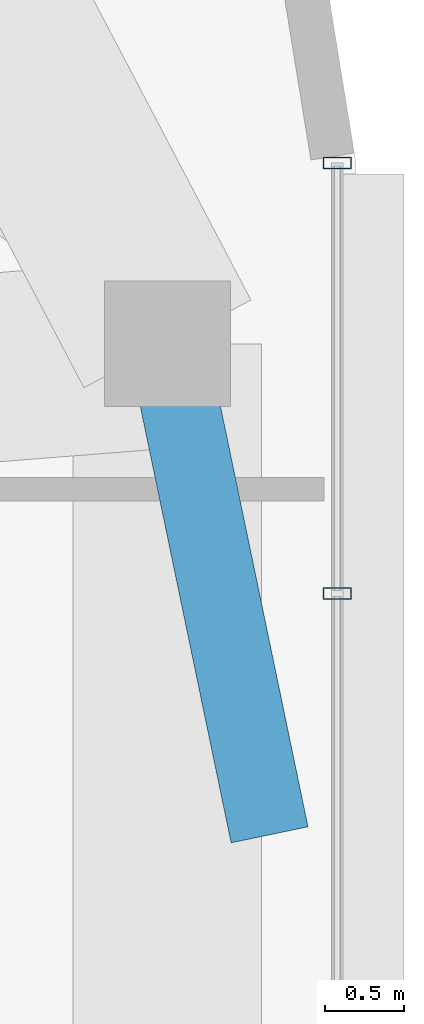
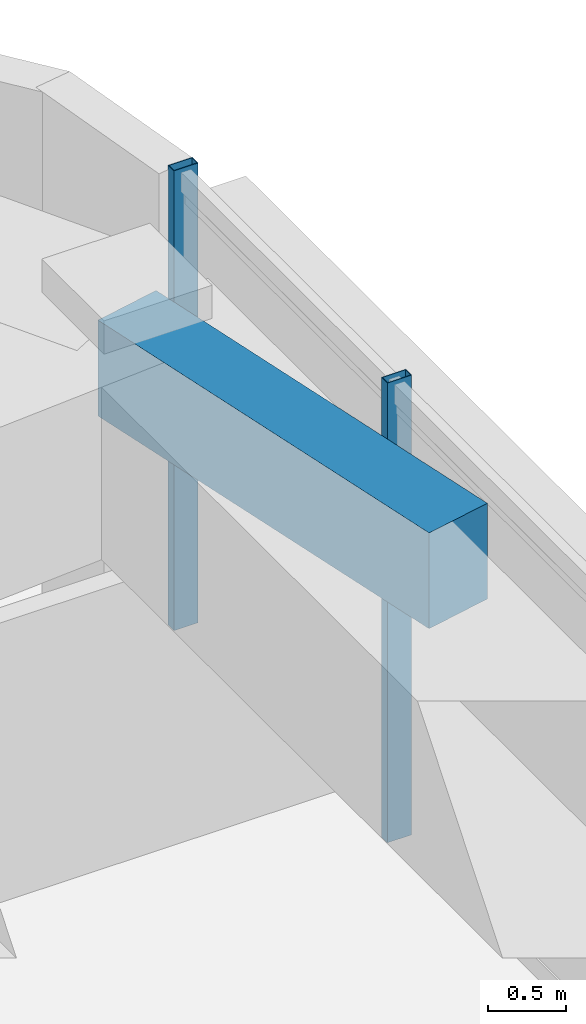
# One storey, part 7 of 15: 2 members, 1 beam, 1 element without a shape of its own.
"""IFC4 building model written with IfcOpenShell, lengths in metres."""

from ifc_helpers import new_model, si_unit, direction, frame, origin, origin_2d, place, context, subcontext, project, spatial, rectangle, hollow_rectangle, extrude, material, material_profile, profile_set, type_object, element, aggregate, save


model = new_model("IFC4")

# Units and contexts
model_context = context("Model", 3, precision=1e-05, world=origin(), true_north=direction((0.0, 1.0)))
body_context = subcontext(model_context, "Body", "Model", "MODEL_VIEW")
ifc_project = project(units=[si_unit("LENGTHUNIT", "METRE"), si_unit("AREAUNIT", "SQUARE_METRE"), si_unit("VOLUMEUNIT", "CUBIC_METRE"), si_unit("PLANEANGLEUNIT", "RADIAN"), si_unit("MASSUNIT", "GRAM", prefix="KILO")], contexts=[model_context])

# Site, building, storey
site_placement = place(None, origin())
site = spatial("IfcSite", under=ifc_project, at=site_placement, CompositionType="ELEMENT")
building_placement = place(site_placement, origin())
building = spatial("IfcBuilding", under=site, at=building_placement, Name="Zulverin Broadcast Headquarters", CompositionType="ELEMENT")
storey_placement = place(building_placement, frame((0.0, 0.0, 270.60009765625)))
storey = spatial("IfcBuildingStorey", under=building, at=storey_placement, Name="L69", CompositionType="ELEMENT", Elevation=270.60009765625)

# Beam
ifc_material_1 = material(Name="Concrete C40/50", Category="concrete")
ifc_material_profile_1 = material_profile(ifc_material_1, rectangle(XDim=0.5, YDim=0.75, at=origin_2d()), Name="Concrete C40/50", Category="concrete")
ifc_profile_set_1 = profile_set([ifc_material_profile_1], Name="Concrete C40/50")
beam_type = type_object("IfcBeamType", Name="BM-RC-500x750", PredefinedType="BEAM", material=ifc_profile_set_1)
beam_placement = place(storey_placement, frame((64.300048828125, 34.275634765625, 3.164794921875), z_axis=(0.203718932557, -0.979029415553, 0.0), x_axis=(0.979029415553, 0.203718932557, 0.0)))
element("IfcBeam", 1, at=beam_placement, inside=storey, type_object=beam_type, Name="L70 Balcony Column-Framed Cantilever BAL_E-2", PredefinedType="BEAM", context=body_context, shape_type="SweptSolid", body=[
    extrude(rectangle(XDim=0.5, YDim=0.75, at=origin_2d()), origin(), (0.0, 0.0, 1.0), 3.190185546875),
])

# Curtain wall, members
ifc_material_2 = material(Name="High-zone solar-control unitised curtain wall", Category="aluminium")
curtain_wall_type = type_object("IfcCurtainWallType", Name="CW-TWR-UPP", PredefinedType="USERDEFINED", material=ifc_material_2)
curtain_wall_placement = place(storey_placement, origin())
curtain_wall = element("IfcCurtainWall", 2, at=curtain_wall_placement, inside=storey, type_object=curtain_wall_type, Name="L69 Unitised Curtain Wall CW-L69-E3", ObjectType="UNITISED CURTAIN WALL", PredefinedType="USERDEFINED")
ifc_material_3 = material(Name="Anodized pale-metal aluminium alloy 6063-T6", Category="aluminium")
ifc_material_profile_2 = material_profile(ifc_material_3, hollow_rectangle(XDim=0.074951171875, YDim=0.179931640625, WallThickness=0.0048828125, at=origin_2d()), Name="Anodized pale-metal aluminium alloy 6063-T6", Category="aluminium")
ifc_profile_set_2 = profile_set([ifc_material_profile_2], Name="Anodized pale-metal aluminium alloy 6063-T6")
member_type = type_object("IfcMemberType", Name="CW-MUL-180", PredefinedType="MULLION", material=ifc_profile_set_2)
member_1_placement = place(storey_placement, frame((65.3798828125, 32.6875, -0.030029296875), z_axis=(0.0, 0.0, 1.0), x_axis=(0.0, 1.0, 0.0)))
member_1 = element("IfcMember", 3, at=member_1_placement, type_object=member_type, Name="CW-L69-E3 Mullion 06", PredefinedType="MULLION", context=body_context, shape_type="SweptSolid", body=[
    extrude(hollow_rectangle(XDim=0.074951171875, YDim=0.179931640625, WallThickness=0.0048828125, at=origin_2d()), origin(), (0.0, 0.0, 1.0), 3.599853515625),
])
member_2_placement = place(storey_placement, frame((65.3798828125, 35.42578125, -0.030029296875), z_axis=(0.0, 0.0, 1.0), x_axis=(0.0, 1.0, 0.0)))
member_2 = element("IfcMember", 4, at=member_2_placement, type_object=member_type, Name="CW-L69-E3 Mullion 07", PredefinedType="MULLION", context=body_context, shape_type="SweptSolid", body=[
    extrude(hollow_rectangle(XDim=0.074951171875, YDim=0.179931640625, WallThickness=0.0048828125, at=origin_2d()), origin(), (0.0, 0.0, 1.0), 3.599853515625),
])
aggregate(curtain_wall, [member_1, member_2])

save(model, "model.ifc")
